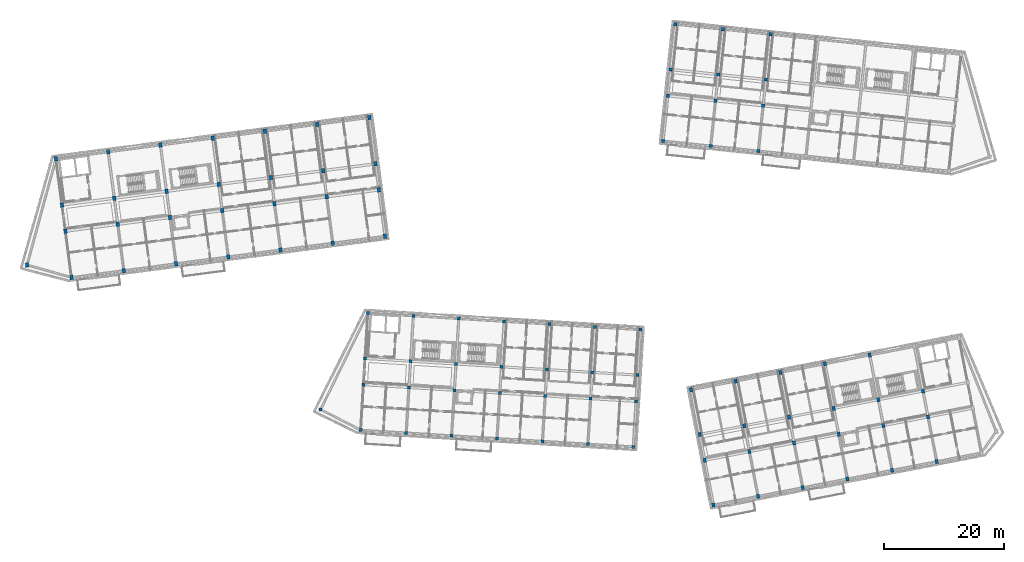
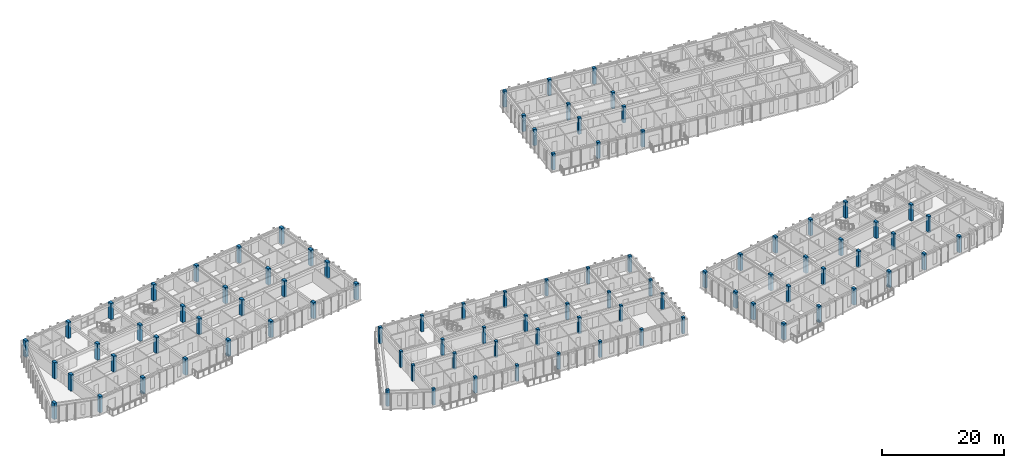
# One storey, part 1 of 66: 93 columns.
"""IFC4 building model written with IfcOpenShell, lengths in metres."""

from ifc_helpers import new_model, si_unit, direction, frame, origin, origin_2d, place, context, subcontext, project, spatial, rectangle, extrude, material, material_profile, profile_set, type_object, element, save


model = new_model("IFC4")

# Units and contexts
model_context = context("Model", 3, precision=1e-05, world=origin(), true_north=direction((0.0, 1.0)))
body_context = subcontext(model_context, "Body", "Model", "MODEL_VIEW")
ifc_project = project(units=[si_unit("LENGTHUNIT", "METRE"), si_unit("AREAUNIT", "SQUARE_METRE"), si_unit("VOLUMEUNIT", "CUBIC_METRE"), si_unit("PLANEANGLEUNIT", "RADIAN"), si_unit("MASSUNIT", "GRAM", prefix="KILO")], contexts=[model_context])

# Site, building, storey
site_placement = place(None, origin())
site = spatial("IfcSite", under=ifc_project, at=site_placement, CompositionType="ELEMENT")
building_placement = place(site_placement, origin())
building = spatial("IfcBuilding", under=site, at=building_placement, Name="Kestramere Prow Commons", CompositionType="ELEMENT")
storey_placement = place(building_placement, frame((0.0, 0.0, 14.89990234375)))
storey = spatial("IfcBuildingStorey", under=building, at=storey_placement, Name="L04", CompositionType="ELEMENT", Elevation=14.89990234375)

# Columns
ifc_material = material(Name="Precast concrete C40/50", Category="concrete")
ifc_material_profile_1 = material_profile(ifc_material, rectangle(XDim=0.550048828125, YDim=0.75, at=origin_2d()), Name="PC-COL 550x750")
ifc_profile_set_1 = profile_set([ifc_material_profile_1], Name="Precast concrete C40/50")
column_type_1 = type_object("IfcColumnType", Name="C-A2 PC-COL 550x750", PredefinedType="COLUMN", material=ifc_profile_set_1)
for number, where, z_axis, x_axis, name in (
    (1, (11.199951171875, 72.0, 0.0), (0.0, 0.0, 1.0), (0.991444861374, 0.13052619222, 0.0), "Block A L04 Column 1-1"),
    (2, (10.181884765625, 79.733154296875, 0.0), (0.0, 0.0, 1.0), (0.991444861374, 0.13052619222, 0.0), "Block A L04 Column 1-2"),
    (3, (9.607666015625, 84.095703125, 0.0), (0.0, 0.0, 1.0), (0.991444861374, 0.13052619222, 0.0), "Block A L04 Column 1-3"),
    (4, (8.58935546875, 91.828857421875, 0.0), (0.0, 0.0, 1.0), (0.991444861374, 0.13052619222, 0.0), "Block A L04 Column 1-4"),
    (5, (19.9248046875, 73.148681640625, 0.0), (0.0, 0.0, 1.0), (0.991444861374, 0.13052619222, 0.0), "Block A L04 Column 2-1"),
    (6, (18.906494140625, 80.8818359375, 0.0), (0.0, 0.0, 1.0), (0.991444861374, 0.13052619222, 0.0), "Block A L04 Column 2-2"),
    (7, (18.332275390625, 85.244140625, 0.0), (0.0, 0.0, 1.0), (0.991444861374, 0.13052619222, 0.0), "Block A L04 Column 2-3"),
    (8, (17.314208984375, 92.9775390625, 0.0), (0.0, 0.0, 1.0), (0.991444861374, 0.13052619222, 0.0), "Block A L04 Column 2-4"),
    (9, (28.6494140625, 74.29736328125, 0.0), (0.0, 0.0, 1.0), (0.991444861374, 0.13052619222, 0.0), "Block A L04 Column 3-1"),
    (10, (27.63134765625, 82.030517578125, 0.0), (0.0, 0.0, 1.0), (0.991444861374, 0.13052619222, 0.0), "Block A L04 Column 3-2"),
    (11, (27.05712890625, 86.392822265625, 0.0), (0.0, 0.0, 1.0), (0.991444861374, 0.13052619222, 0.0), "Block A L04 Column 3-3"),
    (12, (26.038818359375, 94.126220703125, 0.0), (0.0, 0.0, 1.0), (0.991444861374, 0.13052619222, 0.0), "Block A L04 Column 3-4"),
    (13, (37.3740234375, 75.44580078125, 0.0), (0.0, 0.0, 1.0), (0.991444861374, 0.13052619222, 0.0), "Block A L04 Column 4-1"),
    (14, (36.35595703125, 83.17919921875, 0.0), (0.0, 0.0, 1.0), (0.991444861374, 0.13052619222, 0.0), "Block A L04 Column 4-2"),
    (15, (35.78173828125, 87.54150390625, 0.0), (0.0, 0.0, 1.0), (0.991444861374, 0.13052619222, 0.0), "Block A L04 Column 4-3"),
    (16, (34.763671875, 95.27490234375, 0.0), (0.0, 0.0, 1.0), (0.991444861374, 0.13052619222, 0.0), "Block A L04 Column 4-4"),
    (17, (46.098876953125, 76.594482421875, 0.0), (0.0, 0.0, 1.0), (0.991444861374, 0.13052619222, 0.0), "Block A L04 Column 5-1"),
    (18, (45.080810546875, 84.327880859375, 0.0), (0.0, 0.0, 1.0), (0.991444861374, 0.13052619222, 0.0), "Block A L04 Column 5-2"),
    (19, (44.50634765625, 88.690185546875, 0.0), (0.0, 0.0, 1.0), (0.991444861374, 0.13052619222, 0.0), "Block A L04 Column 5-3"),
    (20, (43.48828125, 96.42333984375, 0.0), (0.0, 0.0, 1.0), (0.991444861374, 0.13052619222, 0.0), "Block A L04 Column 5-4"),
    (21, (54.823486328125, 77.7431640625, 0.0), (0.0, 0.0, 1.0), (0.991444861374, 0.13052619222, 0.0), "Block A L04 Column 6-1"),
    (22, (53.805419921875, 85.476318359375, 0.0), (0.0, 0.0, 1.0), (0.991444861374, 0.13052619222, 0.0), "Block A L04 Column 6-2"),
    (23, (53.231201171875, 89.8388671875, 0.0), (0.0, 0.0, 1.0), (0.991444861374, 0.13052619222, 0.0), "Block A L04 Column 6-3"),
    (24, (52.213134765625, 97.572021484375, 0.0), (0.0, 0.0, 1.0), (0.991444861374, 0.13052619222, 0.0), "Block A L04 Column 6-4"),
    (25, (63.54833984375, 78.891845703125, 0.0), (0.0, 0.0, 1.0), (0.991444861374, 0.13052619222, 0.0), "Block A L04 Column 7-1"),
    (26, (62.5302734375, 86.625, 0.0), (0.0, 0.0, 1.0), (0.991444861374, 0.13052619222, 0.0), "Block A L04 Column 7-2"),
    (27, (61.955810546875, 90.9873046875, 0.0), (0.0, 0.0, 1.0), (0.991444861374, 0.13052619222, 0.0), "Block A L04 Column 7-3"),
    (28, (60.937744140625, 98.720703125, 0.0), (0.0, 0.0, 1.0), (0.991444861374, 0.13052619222, 0.0), "Block A L04 Column 7-4"),
    (29, (3.7626953125, 74.09716796875, 0.0), (0.0, 0.0, 1.0), (0.991444861374, 0.13052619222, 0.0), "Block A L04 Prow Apex Column"),
):
    element("IfcColumn", number, at=place(storey_placement, frame(where, z_axis=z_axis, x_axis=x_axis)), inside=storey, type_object=column_type_1, Name=name, PredefinedType="COLUMN", context=body_context, shape_type="SweptSolid", body=[
        extrude(rectangle(XDim=0.550048828125, YDim=0.75, at=origin_2d()), origin(), (0.0, 0.0, 1.0), 3.25),
    ])
ifc_material_profile_2 = material_profile(ifc_material, rectangle(XDim=0.550048828125, YDim=0.550048828125, at=origin_2d()), Name="PC-COL 550x550")
ifc_profile_set_2 = profile_set([ifc_material_profile_2], Name="Precast concrete C40/50")
column_type_2 = type_object("IfcColumnType", Name="C-B2 PC-COL 550x550", PredefinedType="COLUMN", material=ifc_profile_set_2)
for number, where, z_axis, x_axis, name in (
    (30, (110.0, 94.800048828125, 0.0), (0.0, 0.0, 1.0), (0.994521895368, -0.104528463268, 0.0), "Block B L04 Column 1-1"),
    (31, (110.79443359375, 102.3583984375, 0.0), (0.0, 0.0, 1.0), (0.994521895368, -0.104528463268, 0.0), "Block B L04 Column 1-2"),
    (32, (111.25439453125, 106.734375, 0.0), (0.0, 0.0, 1.0), (0.994521895368, -0.104528463268, 0.0), "Block B L04 Column 1-3"),
    (33, (112.048828125, 114.292724609375, 0.0), (0.0, 0.0, 1.0), (0.994521895368, -0.104528463268, 0.0), "Block B L04 Column 1-4"),
    (34, (117.9560546875, 93.9638671875, 0.0), (0.0, 0.0, 1.0), (0.994521895368, -0.104528463268, 0.0), "Block B L04 Column 2-1"),
    (35, (118.75048828125, 101.522216796875, 0.0), (0.0, 0.0, 1.0), (0.994521895368, -0.104528463268, 0.0), "Block B L04 Column 2-2"),
    (36, (119.21044921875, 105.89794921875, 0.0), (0.0, 0.0, 1.0), (0.994521895368, -0.104528463268, 0.0), "Block B L04 Column 2-3"),
    (37, (120.0048828125, 113.456298828125, 0.0), (0.0, 0.0, 1.0), (0.994521895368, -0.104528463268, 0.0), "Block B L04 Column 2-4"),
    (38, (125.912353515625, 93.12744140625, 0.0), (0.0, 0.0, 1.0), (0.994521895368, -0.104528463268, 0.0), "Block B L04 Column 3-1"),
    (39, (126.706787109375, 100.685791015625, 0.0), (0.0, 0.0, 1.0), (0.994521895368, -0.104528463268, 0.0), "Block B L04 Column 3-2"),
    (40, (127.166748046875, 105.061767578125, 0.0), (0.0, 0.0, 1.0), (0.994521895368, -0.104528463268, 0.0), "Block B L04 Column 3-3"),
    (41, (127.961181640625, 112.6201171875, 0.0), (0.0, 0.0, 1.0), (0.994521895368, -0.104528463268, 0.0), "Block B L04 Column 3-4"),
):
    element("IfcColumn", number, at=place(storey_placement, frame(where, z_axis=z_axis, x_axis=x_axis)), inside=storey, type_object=column_type_2, Name=name, PredefinedType="COLUMN", context=body_context, shape_type="SweptSolid", body=[
        extrude(rectangle(XDim=0.550048828125, YDim=0.550048828125, at=origin_2d()), origin(), (0.0, 0.0, 1.0), 3.25),
    ])
ifc_material_profile_3 = material_profile(ifc_material, rectangle(XDim=0.5, YDim=0.5, at=origin_2d()), Name="PC-COL 500x500")
ifc_profile_set_3 = profile_set([ifc_material_profile_3], Name="Precast concrete C40/50")
column_type_3 = type_object("IfcColumnType", Name="C-C2 PC-COL 500x500", PredefinedType="COLUMN", material=ifc_profile_set_3)
for number, where, z_axis, x_axis, name in (
    (42, (59.5, 46.5, 0.0), (0.0, 0.0, 1.0), (0.998134798422, -0.061048539535, 0.0), "Block C L04 Column 1-1"),
    (43, (59.9638671875, 54.0859375, 0.0), (0.0, 0.0, 1.0), (0.998134798422, -0.061048539535, 0.0), "Block C L04 Column 1-2"),
    (44, (60.232666015625, 58.4775390625, 0.0), (0.0, 0.0, 1.0), (0.998134798422, -0.061048539535, 0.0), "Block C L04 Column 1-3"),
    (45, (60.696533203125, 66.0634765625, 0.0), (0.0, 0.0, 1.0), (0.998134798422, -0.061048539535, 0.0), "Block C L04 Column 1-4"),
    (46, (67.0859375, 46.0361328125, 0.0), (0.0, 0.0, 1.0), (0.998134798422, -0.061048539535, 0.0), "Block C L04 Column 2-1"),
    (47, (67.5498046875, 53.621826171875, 0.0), (0.0, 0.0, 1.0), (0.998134798422, -0.061048539535, 0.0), "Block C L04 Column 2-2"),
    (48, (67.818359375, 58.013671875, 0.0), (0.0, 0.0, 1.0), (0.998134798422, -0.061048539535, 0.0), "Block C L04 Column 2-3"),
    (49, (68.282470703125, 65.599365234375, 0.0), (0.0, 0.0, 1.0), (0.998134798422, -0.061048539535, 0.0), "Block C L04 Column 2-4"),
    (50, (74.671630859375, 45.572021484375, 0.0), (0.0, 0.0, 1.0), (0.998134798422, -0.061048539535, 0.0), "Block C L04 Column 3-1"),
    (51, (75.135498046875, 53.157958984375, 0.0), (0.0, 0.0, 1.0), (0.998134798422, -0.061048539535, 0.0), "Block C L04 Column 3-2"),
    (52, (75.404296875, 57.549560546875, 0.0), (0.0, 0.0, 1.0), (0.998134798422, -0.061048539535, 0.0), "Block C L04 Column 3-3"),
    (53, (75.8681640625, 65.135498046875, 0.0), (0.0, 0.0, 1.0), (0.998134798422, -0.061048539535, 0.0), "Block C L04 Column 3-4"),
    (54, (82.257568359375, 45.108154296875, 0.0), (0.0, 0.0, 1.0), (0.998134798422, -0.061048539535, 0.0), "Block C L04 Column 4-1"),
    (55, (82.721435546875, 52.69384765625, 0.0), (0.0, 0.0, 1.0), (0.998134798422, -0.061048539535, 0.0), "Block C L04 Column 4-2"),
    (56, (82.989990234375, 57.085693359375, 0.0), (0.0, 0.0, 1.0), (0.998134798422, -0.061048539535, 0.0), "Block C L04 Column 4-3"),
    (57, (83.4541015625, 64.671630859375, 0.0), (0.0, 0.0, 1.0), (0.998134798422, -0.061048539535, 0.0), "Block C L04 Column 4-4"),
    (58, (89.84326171875, 44.64404296875, 0.0), (0.0, 0.0, 1.0), (0.998134798422, -0.061048539535, 0.0), "Block C L04 Column 5-1"),
    (59, (90.307373046875, 52.22998046875, 0.0), (0.0, 0.0, 1.0), (0.998134798422, -0.061048539535, 0.0), "Block C L04 Column 5-2"),
    (60, (90.575927734375, 56.621826171875, 0.0), (0.0, 0.0, 1.0), (0.998134798422, -0.061048539535, 0.0), "Block C L04 Column 5-3"),
    (61, (91.039794921875, 64.20751953125, 0.0), (0.0, 0.0, 1.0), (0.998134798422, -0.061048539535, 0.0), "Block C L04 Column 5-4"),
    (62, (97.42919921875, 44.18017578125, 0.0), (0.0, 0.0, 1.0), (0.998134798422, -0.061048539535, 0.0), "Block C L04 Column 6-1"),
    (63, (97.89306640625, 51.765869140625, 0.0), (0.0, 0.0, 1.0), (0.998134798422, -0.061048539535, 0.0), "Block C L04 Column 6-2"),
    (64, (98.16162109375, 56.15771484375, 0.0), (0.0, 0.0, 1.0), (0.998134798422, -0.061048539535, 0.0), "Block C L04 Column 6-3"),
    (65, (98.625732421875, 63.74365234375, 0.0), (0.0, 0.0, 1.0), (0.998134798422, -0.061048539535, 0.0), "Block C L04 Column 6-4"),
    (66, (105.014892578125, 43.71630859375, 0.0), (0.0, 0.0, 1.0), (0.998134798422, -0.061048539535, 0.0), "Block C L04 Column 7-1"),
    (67, (105.47900390625, 51.302001953125, 0.0), (0.0, 0.0, 1.0), (0.998134798422, -0.061048539535, 0.0), "Block C L04 Column 7-2"),
    (68, (105.74755859375, 55.69384765625, 0.0), (0.0, 0.0, 1.0), (0.998134798422, -0.061048539535, 0.0), "Block C L04 Column 7-3"),
    (69, (106.21142578125, 63.279541015625, 0.0), (0.0, 0.0, 1.0), (0.998134798422, -0.061048539535, 0.0), "Block C L04 Column 7-4"),
    (70, (52.799072265625, 49.965576171875, 0.0), (0.0, 0.0, 1.0), (0.998134798422, -0.061048539535, 0.0), "Block C L04 Prow Apex Column"),
):
    element("IfcColumn", number, at=place(storey_placement, frame(where, z_axis=z_axis, x_axis=x_axis)), inside=storey, type_object=column_type_3, Name=name, PredefinedType="COLUMN", context=body_context, shape_type="SweptSolid", body=[
        extrude(rectangle(XDim=0.5, YDim=0.5, at=origin_2d()), origin(), (0.0, 0.0, 1.0), 3.25),
    ])
ifc_material_profile_4 = material_profile(ifc_material, rectangle(XDim=0.5, YDim=0.699951171875, at=origin_2d()), Name="PC-COL 500x700")
ifc_profile_set_4 = profile_set([ifc_material_profile_4], Name="Precast concrete C40/50")
column_type_4 = type_object("IfcColumnType", Name="C-D2 PC-COL 500x700", PredefinedType="COLUMN", material=ifc_profile_set_4)
for number, where, z_axis, x_axis, name in (
    (71, (118.39990234375, 34.0, 0.0), (0.0, 0.0, 1.0), (0.981627183448, 0.190808995377, 0.0), "Block D L04 Column 1-1"),
    (72, (116.949951171875, 41.46044921875, 0.0), (0.0, 0.0, 1.0), (0.981627183448, 0.190808995377, 0.0), "Block D L04 Column 1-2"),
    (73, (116.1103515625, 45.779541015625, 0.0), (0.0, 0.0, 1.0), (0.981627183448, 0.190808995377, 0.0), "Block D L04 Column 1-3"),
    (74, (114.66015625, 53.239990234375, 0.0), (0.0, 0.0, 1.0), (0.981627183448, 0.190808995377, 0.0), "Block D L04 Column 1-4"),
    (75, (125.8603515625, 35.4501953125, 0.0), (0.0, 0.0, 1.0), (0.981627183448, 0.190808995377, 0.0), "Block D L04 Column 2-1"),
    (76, (124.41015625, 42.910400390625, 0.0), (0.0, 0.0, 1.0), (0.981627183448, 0.190808995377, 0.0), "Block D L04 Column 2-2"),
    (77, (123.570556640625, 47.229736328125, 0.0), (0.0, 0.0, 1.0), (0.981627183448, 0.190808995377, 0.0), "Block D L04 Column 2-3"),
    (78, (122.12060546875, 54.68994140625, 0.0), (0.0, 0.0, 1.0), (0.981627183448, 0.190808995377, 0.0), "Block D L04 Column 2-4"),
    (79, (133.32080078125, 36.900390625, 0.0), (0.0, 0.0, 1.0), (0.981627183448, 0.190808995377, 0.0), "Block D L04 Column 3-1"),
    (80, (131.87060546875, 44.360595703125, 0.0), (0.0, 0.0, 1.0), (0.981627183448, 0.190808995377, 0.0), "Block D L04 Column 3-2"),
    (81, (131.031005859375, 48.679931640625, 0.0), (0.0, 0.0, 1.0), (0.981627183448, 0.190808995377, 0.0), "Block D L04 Column 3-3"),
    (82, (129.580810546875, 56.14013671875, 0.0), (0.0, 0.0, 1.0), (0.981627183448, 0.190808995377, 0.0), "Block D L04 Column 3-4"),
    (83, (140.781005859375, 38.350341796875, 0.0), (0.0, 0.0, 1.0), (0.981627183448, 0.190808995377, 0.0), "Block D L04 Column 4-1"),
    (84, (139.3310546875, 45.810791015625, 0.0), (0.0, 0.0, 1.0), (0.981627183448, 0.190808995377, 0.0), "Block D L04 Column 4-2"),
    (85, (138.491455078125, 50.1298828125, 0.0), (0.0, 0.0, 1.0), (0.981627183448, 0.190808995377, 0.0), "Block D L04 Column 4-3"),
    (86, (137.041259765625, 57.59033203125, 0.0), (0.0, 0.0, 1.0), (0.981627183448, 0.190808995377, 0.0), "Block D L04 Column 4-4"),
    (87, (148.241455078125, 39.800537109375, 0.0), (0.0, 0.0, 1.0), (0.981627183448, 0.190808995377, 0.0), "Block D L04 Column 5-1"),
    (88, (146.791259765625, 47.260986328125, 0.0), (0.0, 0.0, 1.0), (0.981627183448, 0.190808995377, 0.0), "Block D L04 Column 5-2"),
    (89, (145.95166015625, 51.580078125, 0.0), (0.0, 0.0, 1.0), (0.981627183448, 0.190808995377, 0.0), "Block D L04 Column 5-3"),
    (90, (144.501708984375, 59.04052734375, 0.0), (0.0, 0.0, 1.0), (0.981627183448, 0.190808995377, 0.0), "Block D L04 Column 5-4"),
    (91, (155.701904296875, 41.250732421875, 0.0), (0.0, 0.0, 1.0), (0.981627183448, 0.190808995377, 0.0), "Block D L04 Column 6-1"),
    (92, (154.251708984375, 48.711181640625, 0.0), (0.0, 0.0, 1.0), (0.981627183448, 0.190808995377, 0.0), "Block D L04 Column 6-2"),
    (93, (153.412109375, 53.0302734375, 0.0), (0.0, 0.0, 1.0), (0.981627183448, 0.190808995377, 0.0), "Block D L04 Column 6-3"),
):
    element("IfcColumn", number, at=place(storey_placement, frame(where, z_axis=z_axis, x_axis=x_axis)), inside=storey, type_object=column_type_4, Name=name, PredefinedType="COLUMN", context=body_context, shape_type="SweptSolid", body=[
        extrude(rectangle(XDim=0.5, YDim=0.699951171875, at=origin_2d()), origin(), (0.0, 0.0, 1.0), 3.25),
    ])

save(model, "model.ifc")
